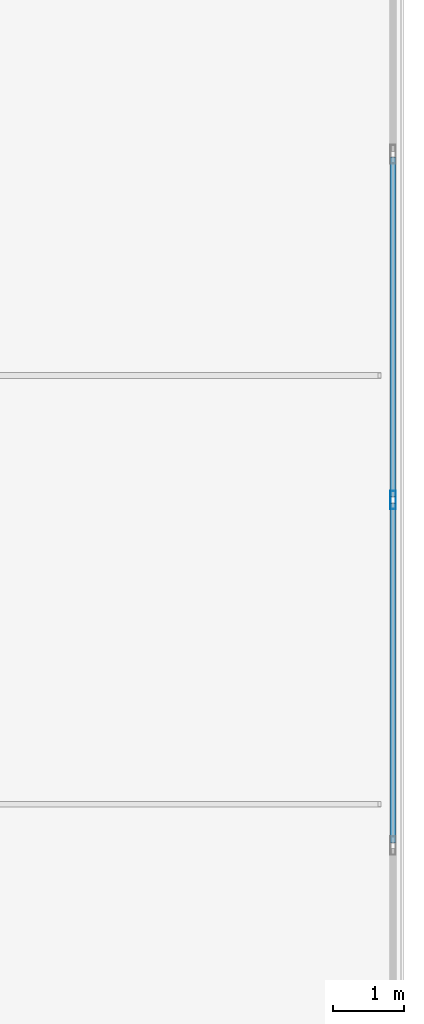
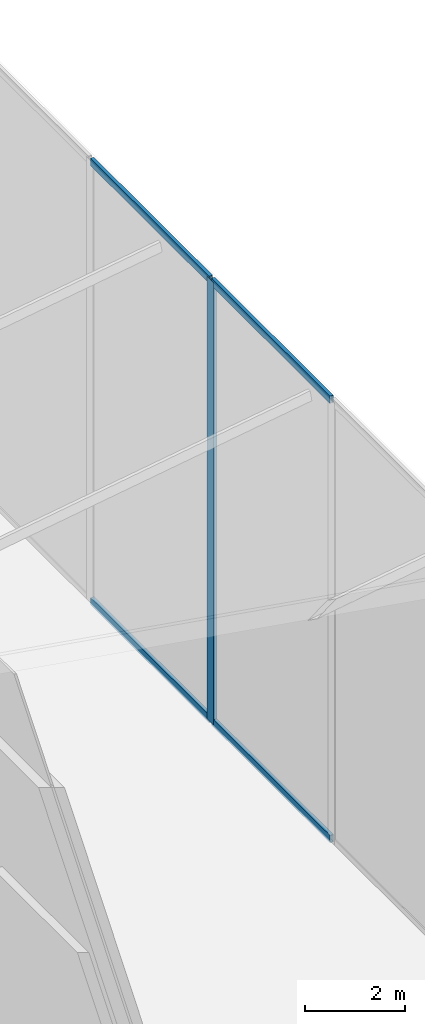
# One storey, part 14 of 30: 5 members, 1 element without a shape of its own.
"""IFC4 building model written with IfcOpenShell, lengths in metres."""

from ifc_helpers import new_model, si_unit, direction, frame, origin, origin_2d, place, context, subcontext, project, spatial, hollow_rectangle, extrude, material, layer, layer_set, material_profile, profile_set, type_object, element, aggregate, save


model = new_model("IFC4")

# Units and contexts
model_context = context("Model", 3, precision=1e-05, world=origin(), true_north=direction((0.0, 1.0)))
body_context = subcontext(model_context, "Body", "Model", "MODEL_VIEW")
ifc_project = project(units=[si_unit("LENGTHUNIT", "METRE"), si_unit("AREAUNIT", "SQUARE_METRE"), si_unit("VOLUMEUNIT", "CUBIC_METRE"), si_unit("PLANEANGLEUNIT", "RADIAN"), si_unit("MASSUNIT", "GRAM", prefix="KILO")], contexts=[model_context])

# Site, building, storey
site_placement = place(None, origin())
site = spatial("IfcSite", under=ifc_project, at=site_placement, CompositionType="ELEMENT")
building_placement = place(site_placement, origin())
building = spatial("IfcBuilding", under=site, at=building_placement, Name="Tanjung Sevakor Pilgrim Tower", CompositionType="ELEMENT")
storey_placement = place(building_placement, frame((0.0, 0.0, 287.760009765625)))
storey = spatial("IfcBuildingStorey", under=building, at=storey_placement, Name="L80", CompositionType="ELEMENT", Elevation=287.760009765625)

# Curtain wall, members
ifc_material_1 = material(Name="Aluminium 6063-T6 and Low-E Glass", Category="aluminium")
ifc_layer = layer(ifc_material_1, 0.219970703125)
ifc_layer_set = layer_set([ifc_layer], Name="CW-SYS-CRNE")
curtain_wall_type = type_object("IfcCurtainWallType", Name="CW-SYS-CRNE", PredefinedType="NOTDEFINED", material=ifc_layer_set)
curtain_wall_placement = place(storey_placement, origin())
curtain_wall = element("IfcCurtainWall", 1, at=curtain_wall_placement, inside=storey, type_object=curtain_wall_type, Name="L80 Curtain Wall CW-CRN-L80-EAST-2-1", PredefinedType="NOTDEFINED")
ifc_material_2 = material(Name="Aluminium 6063-T6", Category="aluminium")
ifc_material_profile_1 = material_profile(ifc_material_2, hollow_rectangle(XDim=0.080078125, YDim=0.260009765625, WallThickness=0.0048828125, at=origin_2d()))
ifc_profile_set_1 = profile_set([ifc_material_profile_1], Name="Aluminium 6063-T6")
member_type_1 = type_object("IfcMemberType", Name="TYPE-CWM-3", PredefinedType="MULLION", material=ifc_profile_set_1)
member_1_placement = place(storey_placement, frame((99.090087890625, 40.857666015625, 0.0), z_axis=(0.0, 0.0, 1.0), x_axis=(-1.0, 0.0, 0.0)))
member_1 = element("IfcMember", 2, at=member_1_placement, type_object=member_type_1, Name="CW-CRE mullion 6", PredefinedType="MULLION", context=body_context, shape_type="SweptSolid", body=[
    extrude(hollow_rectangle(XDim=0.080078125, YDim=0.260009765625, WallThickness=0.0048828125, at=origin_2d()), origin(), (0.0, 0.0, 1.0), 10.82275390625),
])
ifc_material_3 = material(Name="Aluminium 6063-T6", Category="aluminium")
ifc_material_profile_2 = material_profile(ifc_material_3, hollow_rectangle(XDim=0.080078125, YDim=0.179931640625, WallThickness=0.0048828125, at=origin_2d()))
ifc_profile_set_2 = profile_set([ifc_material_profile_2], Name="Aluminium 6063-T6")
member_type_2 = type_object("IfcMemberType", Name="TYPE-CWT-3", PredefinedType="USERDEFINED", material=ifc_profile_set_2)
member_2_placement = place(storey_placement, frame((99.090087890625, 36.05908203125, 0.0400390625), z_axis=(0.0, 1.0, 0.0), x_axis=(-1.0, 0.0, 0.0)))
member_2 = element("IfcMember", 3, at=member_2_placement, type_object=member_type_2, Name="CW-CRE transom 5.1", ObjectType="TRANSOM", PredefinedType="USERDEFINED", context=body_context, shape_type="SweptSolid", body=[
    extrude(hollow_rectangle(XDim=0.080078125, YDim=0.179931640625, WallThickness=0.0048828125, at=origin_2d()), origin(), (0.0, 0.0, 1.0), 4.758544921875),
])
member_3_placement = place(storey_placement, frame((99.090087890625, 36.05908203125, 10.78271484375), z_axis=(0.0, 1.0, 0.0), x_axis=(-1.0, 0.0, 0.0)))
member_3 = element("IfcMember", 4, at=member_3_placement, type_object=member_type_2, Name="CW-CRE transom 5.2", ObjectType="TRANSOM", PredefinedType="USERDEFINED", context=body_context, shape_type="SweptSolid", body=[
    extrude(hollow_rectangle(XDim=0.080078125, YDim=0.179931640625, WallThickness=0.0048828125, at=origin_2d()), origin(), (0.0, 0.0, 1.0), 4.758544921875),
])
member_4_placement = place(storey_placement, frame((99.090087890625, 40.897705078125, 0.0400390625), z_axis=(0.0, 1.0, 0.0), x_axis=(-1.0, 0.0, 0.0)))
member_4 = element("IfcMember", 5, at=member_4_placement, type_object=member_type_2, Name="CW-CRE transom 6.1", ObjectType="TRANSOM", PredefinedType="USERDEFINED", context=body_context, shape_type="SweptSolid", body=[
    extrude(hollow_rectangle(XDim=0.080078125, YDim=0.179931640625, WallThickness=0.0048828125, at=origin_2d()), origin(), (0.0, 0.0, 1.0), 4.75830078125),
])
member_5_placement = place(storey_placement, frame((99.090087890625, 40.897705078125, 10.78271484375), z_axis=(0.0, 1.0, 0.0), x_axis=(-1.0, 0.0, 0.0)))
member_5 = element("IfcMember", 6, at=member_5_placement, type_object=member_type_2, Name="CW-CRE transom 6.2", ObjectType="TRANSOM", PredefinedType="USERDEFINED", context=body_context, shape_type="SweptSolid", body=[
    extrude(hollow_rectangle(XDim=0.080078125, YDim=0.179931640625, WallThickness=0.0048828125, at=origin_2d()), origin(), (0.0, 0.0, 1.0), 4.75830078125),
])
aggregate(curtain_wall, [member_1, member_2, member_3, member_4, member_5])

save(model, "model.ifc")
